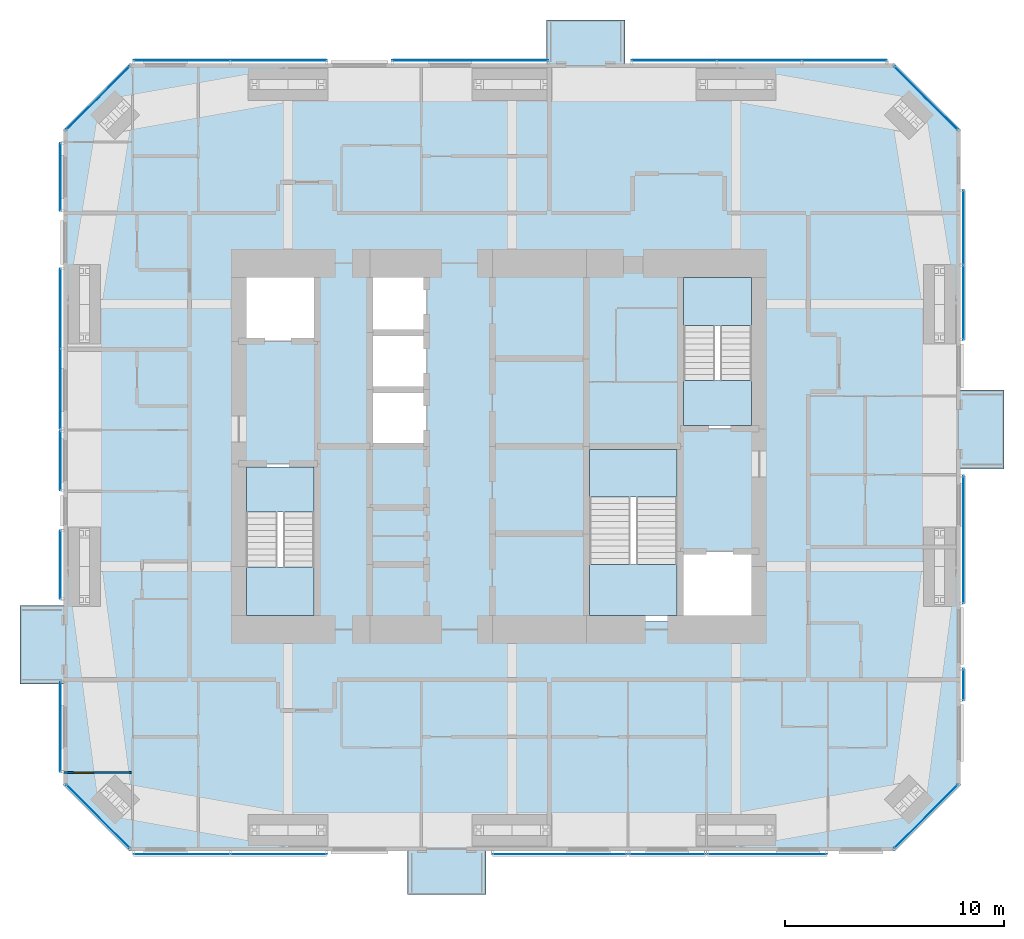
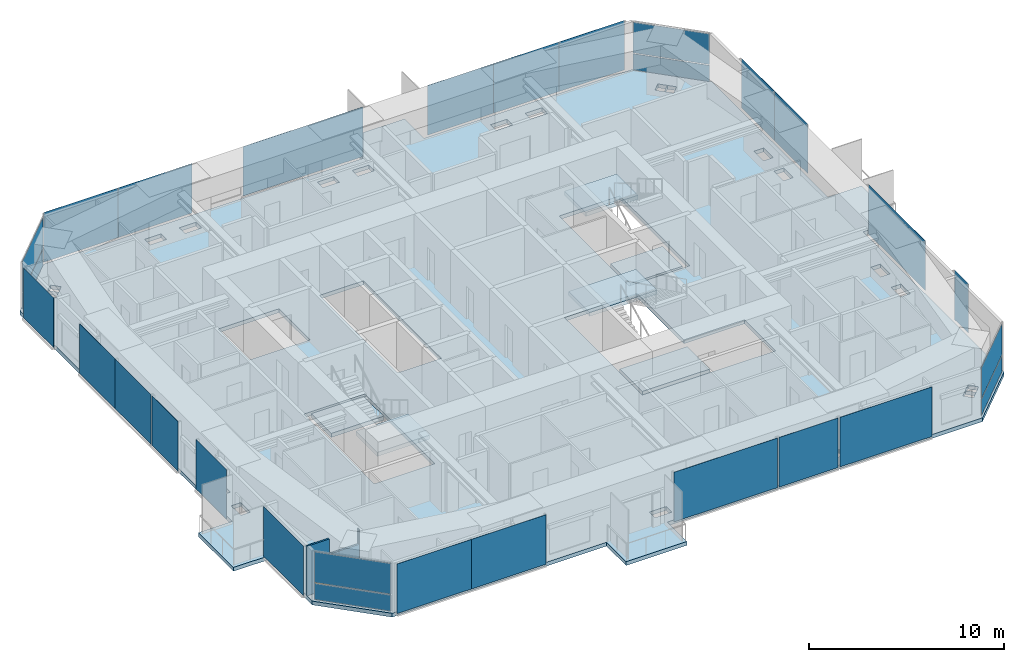
# One storey, part 14 of 22: 29 plates, 7 slabs, 1 door, 1 wall, 1 opening, 22 elements without a shape of their own.
"""IFC4 building model written with IfcOpenShell, lengths in metres."""

from ifc_helpers import new_model, si_unit, direction, frame, frame_2d, origin, origin_2d, place, context, subcontext, project, spatial, polyline, rectangle, outline, extrude, material, layer, layer_set, constituent, constituent_set, type_object, element, fill, aggregate, save


model = new_model("IFC4")

# Units and contexts
model_context = context("Model", 3, precision=1e-05, world=origin(), true_north=direction((0.0, 1.0)))
body_context = subcontext(model_context, "Body", "Model", "MODEL_VIEW")
ifc_project = project(units=[si_unit("LENGTHUNIT", "METRE"), si_unit("AREAUNIT", "SQUARE_METRE"), si_unit("VOLUMEUNIT", "CUBIC_METRE"), si_unit("PLANEANGLEUNIT", "RADIAN"), si_unit("MASSUNIT", "GRAM", prefix="KILO")], contexts=[model_context])

# Site, building, storey
site_placement = place(None, origin())
site = spatial("IfcSite", under=ifc_project, at=site_placement, CompositionType="ELEMENT")
building_placement = place(site_placement, origin())
building = spatial("IfcBuilding", under=site, at=building_placement, Name="Jalousie Tower", CompositionType="ELEMENT")
storey_placement = place(building_placement, frame((0.0, 0.0, 201.25)))
storey = spatial("IfcBuildingStorey", under=building, at=storey_placement, Name="L55", CompositionType="ELEMENT", Elevation=201.25)

# Curtain wall, plates
ifc_material_1 = material(Name="Aluminium curtain wall", Category="aluminium")
curtain_wall_type_1 = type_object("IfcCurtainWallType", Name="CORNER WINDOW WALL", PredefinedType="USERDEFINED", material=ifc_material_1)
curtain_wall_1_placement = place(storey_placement, origin())
curtain_wall_1 = element("IfcCurtainWall", 1, at=curtain_wall_1_placement, inside=storey, type_object=curtain_wall_type_1, Name="Corner Window Wall L55 2", ObjectType="CORNER WINDOW WALL", PredefinedType="USERDEFINED")
ifc_material_2 = material(Name="Laminated impact-rated spandrel glass", Category="glass")
ifc_layer_1 = layer(ifc_material_2, 0.028076171875)
ifc_layer_set_1 = layer_set([ifc_layer_1], Name="Laminated impact-rated spandrel glass")
plate_type_1 = type_object("IfcPlateType", Name="CORNER WINDOW WALL PANEL", PredefinedType="CURTAIN_PANEL", material=ifc_layer_set_1)
plate_1_placement = place(storey_placement, frame((51.4306640625, 1.5693359375, 0.06005859375), z_axis=(0.0, 0.0, 1.0), x_axis=(0.707106781187, 0.707106781187, 0.0)))
plate_1 = element("IfcPlate", 2, at=plate_1_placement, type_object=plate_type_1, Name="CW-C panel 1.1", PredefinedType="CURTAIN_PANEL", context=body_context, shape_type="SweptSolid", body=[
    extrude(rectangle(XDim=4.071533203125, YDim=0.028076171875, at=origin_2d()), origin(), (0.0, 0.0, 1.0), 1.010009765625),
])
plate_2_placement = place(storey_placement, frame((51.4306640625, 1.5693359375, 1.130126953125), z_axis=(0.0, 0.0, 1.0), x_axis=(0.707106781187, 0.707106781187, 0.0)))
plate_2 = element("IfcPlate", 3, at=plate_2_placement, type_object=plate_type_1, Name="CW-C panel 1.2", PredefinedType="CURTAIN_PANEL", context=body_context, shape_type="SweptSolid", body=[
    extrude(rectangle(XDim=4.071533203125, YDim=0.028076171875, at=origin_2d()), origin(), (0.0, 0.0, 1.0), 1.919921875),
])
aggregate(curtain_wall_1, [plate_1, plate_2])

curtain_wall_2_placement = place(storey_placement, origin())
curtain_wall_2 = element("IfcCurtainWall", 4, at=curtain_wall_2_placement, inside=storey, type_object=curtain_wall_type_1, Name="Corner Window Wall L55 4", ObjectType="CORNER WINDOW WALL", PredefinedType="USERDEFINED")
plate_3_placement = place(storey_placement, frame((51.4306640625, 34.4306640625, 0.06005859375), z_axis=(0.0, 0.0, 1.0), x_axis=(-0.707106781187, 0.707106781187, 0.0)))
plate_3 = element("IfcPlate", 5, at=plate_3_placement, type_object=plate_type_1, Name="CW-C panel 1.1", PredefinedType="CURTAIN_PANEL", context=body_context, shape_type="SweptSolid", body=[
    extrude(rectangle(XDim=4.071533203125, YDim=0.028076171875, at=origin_2d()), origin(), (0.0, 0.0, 1.0), 1.010009765625),
])
plate_4_placement = place(storey_placement, frame((51.4306640625, 34.4306640625, 1.130126953125), z_axis=(0.0, 0.0, 1.0), x_axis=(-0.707106781187, 0.707106781187, 0.0)))
plate_4 = element("IfcPlate", 6, at=plate_4_placement, type_object=plate_type_1, Name="CW-C panel 1.2", PredefinedType="CURTAIN_PANEL", context=body_context, shape_type="SweptSolid", body=[
    extrude(rectangle(XDim=4.071533203125, YDim=0.028076171875, at=origin_2d()), origin(), (0.0, 0.0, 1.0), 1.919921875),
])
aggregate(curtain_wall_2, [plate_3, plate_4])

curtain_wall_3_placement = place(storey_placement, origin())
curtain_wall_3 = element("IfcCurtainWall", 7, at=curtain_wall_3_placement, inside=storey, type_object=curtain_wall_type_1, Name="Corner Window Wall L55 6", ObjectType="CORNER WINDOW WALL", PredefinedType="USERDEFINED")
plate_5_placement = place(storey_placement, frame((13.5693359375, 34.4306640625, 0.06005859375), z_axis=(0.0, 0.0, 1.0), x_axis=(-0.707106781187, -0.707106781187, 0.0)))
plate_5 = element("IfcPlate", 8, at=plate_5_placement, type_object=plate_type_1, Name="CW-C panel 1.1", PredefinedType="CURTAIN_PANEL", context=body_context, shape_type="SweptSolid", body=[
    extrude(rectangle(XDim=4.071533203125, YDim=0.028076171875, at=origin_2d()), origin(), (0.0, 0.0, 1.0), 1.010009765625),
])
plate_6_placement = place(storey_placement, frame((13.5693359375, 34.4306640625, 1.130126953125), z_axis=(0.0, 0.0, 1.0), x_axis=(-0.707106781187, -0.707106781187, 0.0)))
plate_6 = element("IfcPlate", 9, at=plate_6_placement, type_object=plate_type_1, Name="CW-C panel 1.2", PredefinedType="CURTAIN_PANEL", context=body_context, shape_type="SweptSolid", body=[
    extrude(rectangle(XDim=4.071533203125, YDim=0.028076171875, at=origin_2d()), origin(), (0.0, 0.0, 1.0), 1.919921875),
])
aggregate(curtain_wall_3, [plate_5, plate_6])

curtain_wall_4_placement = place(storey_placement, origin())
curtain_wall_4 = element("IfcCurtainWall", 10, at=curtain_wall_4_placement, inside=storey, type_object=curtain_wall_type_1, Name="Corner Window Wall L55 8", ObjectType="CORNER WINDOW WALL", PredefinedType="USERDEFINED")
plate_7_placement = place(storey_placement, frame((13.5693359375, 1.5693359375, 0.06005859375), z_axis=(0.0, 0.0, 1.0), x_axis=(0.707106781187, -0.707106781187, 0.0)))
plate_7 = element("IfcPlate", 11, at=plate_7_placement, type_object=plate_type_1, Name="CW-C panel 1.1", PredefinedType="CURTAIN_PANEL", context=body_context, shape_type="SweptSolid", body=[
    extrude(rectangle(XDim=4.071533203125, YDim=0.028076171875, at=origin_2d()), origin(), (0.0, 0.0, 1.0), 1.010009765625),
])
plate_8_placement = place(storey_placement, frame((13.5693359375, 1.5693359375, 1.130126953125), z_axis=(0.0, 0.0, 1.0), x_axis=(0.707106781187, -0.707106781187, 0.0)))
plate_8 = element("IfcPlate", 12, at=plate_8_placement, type_object=plate_type_1, Name="CW-C panel 1.2", PredefinedType="CURTAIN_PANEL", context=body_context, shape_type="SweptSolid", body=[
    extrude(rectangle(XDim=4.071533203125, YDim=0.028076171875, at=origin_2d()), origin(), (0.0, 0.0, 1.0), 1.919921875),
])
aggregate(curtain_wall_4, [plate_7, plate_8])

# Slab
ifc_material_3 = material(Name="Concrete f'c 40 MPa", Category="concrete")
ifc_layer_2 = layer(ifc_material_3, 0.239990234375)
ifc_layer_set_2 = layer_set([ifc_layer_2], Name="Concrete f'c 40 MPa")
slab_type_1 = type_object("IfcSlabType", Name="FLOOR SLAB 240", PredefinedType="FLOOR", material=ifc_layer_set_2)
slab_1_placement = place(storey_placement, frame((0.0, 0.0, -0.239990234375)))
element("IfcSlab", 13, at=slab_1_placement, inside=storey, type_object=slab_type_1, Name="L55 floor slab", PredefinedType="FLOOR", context=body_context, shape_type="SweptSolid", body=[
    extrude(outline(polyline([(34.074951171875, 36.0), (34.074951171875, 38.0), (37.675048828125, 38.0), (37.675048828125, 36.0), (50.0, 36.0), (53.0, 33.0), (53.0, 21.074951171875), (55.0, 21.074951171875), (55.0, 17.47509765625), (53.0, 17.47509765625), (53.0, 3.0), (50.0, 0.0), (31.3125, 0.0), (31.3125, -2.0), (27.71240234375, -2.0), (27.71240234375, 0.0), (15.0, 0.0), (12.0, 3.0), (12.0, 7.625), (10.0, 7.625), (10.0, 11.22509765625), (12.0, 11.22509765625), (12.0, 33.0), (15.0, 36.0), (34.074951171875, 36.0)]), holes=[polyline([(52.336181640625, 25.54150390625), (52.336181640625, 26.52490234375), (51.763916015625, 26.52490234375), (51.763916015625, 25.54150390625), (52.336181640625, 25.54150390625)]), polyline([(51.763916015625, 23.47509765625), (52.336181640625, 23.47509765625), (52.336181640625, 24.45849609375), (51.763916015625, 24.45849609375), (51.763916015625, 23.47509765625)]), polyline([(51.763916015625, 13.54150390625), (52.336181640625, 13.54150390625), (52.336181640625, 14.52490234375), (51.763916015625, 14.52490234375), (51.763916015625, 13.54150390625)]), polyline([(51.763916015625, 11.47509765625), (52.336181640625, 11.47509765625), (52.336181640625, 12.45849609375), (51.763916015625, 12.45849609375), (51.763916015625, 11.47509765625)]), polyline([(50.856689453125, 33.851318359375), (50.451904296875, 33.446533203125), (50.802490234375, 33.095703125), (51.20751953125, 33.500244140625), (50.856689453125, 33.851318359375)]), polyline([(50.802490234375, 2.904296875), (50.451904296875, 2.553466796875), (50.856689453125, 2.148681640625), (51.20751953125, 2.499755859375), (50.802490234375, 2.904296875)]), polyline([(50.446533203125, 33.451904296875), (50.851318359375, 33.856689453125), (50.500244140625, 34.20751953125), (50.095703125, 33.802490234375), (50.446533203125, 33.451904296875)]), polyline([(50.095703125, 2.197509765625), (50.500244140625, 1.79248046875), (50.851318359375, 2.143310546875), (50.446533203125, 2.548095703125), (50.095703125, 2.197509765625)]), polyline([(44.27490234375, 35.336181640625), (43.29150390625, 35.336181640625), (43.29150390625, 34.763916015625), (44.27490234375, 34.763916015625), (44.27490234375, 35.336181640625)]), polyline([(44.27490234375, 1.236083984375), (43.29150390625, 1.236083984375), (43.29150390625, 0.663818359375), (44.27490234375, 0.663818359375), (44.27490234375, 1.236083984375)]), polyline([(40.199951171875, 19.300048828125), (43.800048828125, 19.300048828125), (43.800048828125, 26.5), (40.199951171875, 26.5), (40.199951171875, 19.300048828125)]), polyline([(35.89990234375, 18.5), (35.89990234375, 10.5), (43.800048828125, 10.5), (43.800048828125, 13.699951171875), (40.199951171875, 13.699951171875), (40.199951171875, 18.5), (35.89990234375, 18.5)]), polyline([(42.20849609375, 34.763916015625), (42.20849609375, 35.336181640625), (41.22509765625, 35.336181640625), (41.22509765625, 34.763916015625), (42.20849609375, 34.763916015625)]), polyline([(41.22509765625, 0.663818359375), (42.20849609375, 0.663818359375), (42.20849609375, 1.236083984375), (41.22509765625, 1.236083984375), (41.22509765625, 0.663818359375)]), polyline([(33.04150390625, 35.336181640625), (33.04150390625, 34.763916015625), (34.02490234375, 34.763916015625), (34.02490234375, 35.336181640625), (33.04150390625, 35.336181640625)]), polyline([(33.04150390625, 1.236083984375), (33.04150390625, 0.663818359375), (34.02490234375, 0.663818359375), (34.02490234375, 1.236083984375), (33.04150390625, 1.236083984375)]), polyline([(31.95849609375, 34.763916015625), (31.95849609375, 35.336181640625), (30.97509765625, 35.336181640625), (30.97509765625, 34.763916015625), (31.95849609375, 34.763916015625)]), polyline([(31.95849609375, 0.663818359375), (31.95849609375, 1.236083984375), (30.97509765625, 1.236083984375), (30.97509765625, 0.663818359375), (31.95849609375, 0.663818359375)]), polyline([(28.60009765625, 18.5), (28.60009765625, 26.5), (26.0, 26.5), (26.0, 18.5), (28.60009765625, 18.5)]), polyline([(22.79150390625, 1.236083984375), (22.79150390625, 0.663818359375), (23.77490234375, 0.663818359375), (23.77490234375, 1.236083984375), (22.79150390625, 1.236083984375)]), polyline([(23.77490234375, 34.763916015625), (23.77490234375, 35.336181640625), (22.79150390625, 35.336181640625), (22.79150390625, 34.763916015625), (23.77490234375, 34.763916015625)]), polyline([(20.0, 23.300048828125), (23.60009765625, 23.300048828125), (23.60009765625, 26.5), (20.0, 26.5), (20.0, 23.300048828125)]), polyline([(20.0, 10.5), (23.60009765625, 10.5), (23.60009765625, 17.699951171875), (20.0, 17.699951171875), (20.0, 10.5)]), polyline([(20.72509765625, 35.336181640625), (20.72509765625, 34.763916015625), (21.70849609375, 34.763916015625), (21.70849609375, 35.336181640625), (20.72509765625, 35.336181640625)]), polyline([(20.72509765625, 1.236083984375), (20.72509765625, 0.663818359375), (21.70849609375, 0.663818359375), (21.70849609375, 1.236083984375), (20.72509765625, 1.236083984375)]), polyline([(14.904296875, 33.802490234375), (14.499755859375, 34.20751953125), (14.148681640625, 33.856689453125), (14.553466796875, 33.451904296875), (14.904296875, 33.802490234375)]), polyline([(14.148681640625, 2.143310546875), (14.499755859375, 1.79248046875), (14.904296875, 2.197509765625), (14.553466796875, 2.548095703125), (14.148681640625, 2.143310546875)]), polyline([(14.197509765625, 2.904296875), (13.79248046875, 2.499755859375), (14.143310546875, 2.148681640625), (14.548095703125, 2.553466796875), (14.197509765625, 2.904296875)]), polyline([(13.79248046875, 33.500244140625), (14.197509765625, 33.095703125), (14.548095703125, 33.446533203125), (14.143310546875, 33.851318359375), (13.79248046875, 33.500244140625)]), polyline([(12.663818359375, 11.47509765625), (13.236083984375, 11.47509765625), (13.236083984375, 12.45849609375), (12.663818359375, 12.45849609375), (12.663818359375, 11.47509765625)]), polyline([(13.236083984375, 24.45849609375), (12.663818359375, 24.45849609375), (12.663818359375, 23.47509765625), (13.236083984375, 23.47509765625), (13.236083984375, 24.45849609375)]), polyline([(12.663818359375, 25.54150390625), (13.236083984375, 25.54150390625), (13.236083984375, 26.52490234375), (12.663818359375, 26.52490234375), (12.663818359375, 25.54150390625)]), polyline([(13.236083984375, 13.54150390625), (13.236083984375, 14.52490234375), (12.663818359375, 14.52490234375), (12.663818359375, 13.54150390625), (13.236083984375, 13.54150390625)])]), origin(), (0.0, 0.0, 1.0), 0.239990234375),
])

# Curtain wall, plates
ifc_material_4 = material(Name="Perforated aluminium sheet", Category="aluminium")
curtain_wall_type_2 = type_object("IfcCurtainWallType", Name="SOLAR SCREEN SS-1", PredefinedType="USERDEFINED", material=ifc_material_4)
curtain_wall_5_placement = place(storey_placement, origin())
curtain_wall_5 = element("IfcCurtainWall", 14, at=curtain_wall_5_placement, inside=storey, type_object=curtain_wall_type_2, Name="Solar screen L55", ObjectType="SOLAR SCREEN SS-1", PredefinedType="USERDEFINED")
ifc_material_5 = material(Name="Perforated aluminium sheet", Category="aluminium")
ifc_layer_3 = layer(ifc_material_5, 0.006103515625)
ifc_layer_set_3 = layer_set([ifc_layer_3], Name="Perforated aluminium sheet")
plate_type_2 = type_object("IfcPlateType", Name="SOLAR SCREEN SS-1 PANEL", PredefinedType="CURTAIN_PANEL", material=ifc_layer_set_3)
plate_9_placement = place(storey_placement, frame((17.40625, -0.150390625, 0.0), z_axis=(0.0, 0.0, 1.0), x_axis=(1.0, 0.0, 0.0)))
plate_9 = element("IfcPlate", 15, at=plate_9_placement, type_object=plate_type_2, Name="SS1 perforated panel 1", PredefinedType="CURTAIN_PANEL", context=body_context, shape_type="SweptSolid", body=[
    extrude(rectangle(XDim=4.41259765625, YDim=0.006103515625, at=origin_2d()), origin(), (0.0, 0.0, 1.0), 3.110107421875),
])
plate_10_placement = place(storey_placement, frame((21.818603515625, -0.150390625, 0.0), z_axis=(0.0, 0.0, 1.0), x_axis=(1.0, 0.0, 0.0)))
plate_10 = element("IfcPlate", 16, at=plate_10_placement, type_object=plate_type_2, Name="SS1 perforated panel 2", PredefinedType="CURTAIN_PANEL", context=body_context, shape_type="SweptSolid", body=[
    extrude(rectangle(XDim=4.41259765625, YDim=0.006103515625, at=origin_2d()), origin(), (0.0, 0.0, 1.0), 3.110107421875),
])
aggregate(curtain_wall_5, [plate_9, plate_10])

# Curtain wall, plate
curtain_wall_6_placement = place(storey_placement, origin())
curtain_wall_6 = element("IfcCurtainWall", 17, at=curtain_wall_6_placement, inside=storey, type_object=curtain_wall_type_2, Name="Solar screen L55", ObjectType="SOLAR SCREEN SS-1", PredefinedType="USERDEFINED")
plate_11_placement = place(storey_placement, frame((34.68115234375, -0.150390625, 0.0), z_axis=(0.0, 0.0, 1.0), x_axis=(1.0, 0.0, 0.0)))
plate_11 = element("IfcPlate", 18, at=plate_11_placement, type_object=plate_type_2, Name="SS1 perforated panel 1", PredefinedType="CURTAIN_PANEL", context=body_context, shape_type="SweptSolid", body=[
    extrude(rectangle(XDim=6.137451171875, YDim=0.006103515625, at=origin_2d()), origin(), (0.0, 0.0, 1.0), 3.110107421875),
])
aggregate(curtain_wall_6, [plate_11])

curtain_wall_7_placement = place(storey_placement, origin())
curtain_wall_7 = element("IfcCurtainWall", 19, at=curtain_wall_7_placement, inside=storey, type_object=curtain_wall_type_2, Name="Solar screen L55", ObjectType="SOLAR SCREEN SS-1", PredefinedType="USERDEFINED")
plate_12_placement = place(storey_placement, frame((39.60009765625, -0.150390625, 0.0), z_axis=(0.0, 0.0, 1.0), x_axis=(1.0, 0.0, 0.0)))
plate_12 = element("IfcPlate", 20, at=plate_12_placement, type_object=plate_type_2, Name="SS1 perforated panel 1", PredefinedType="CURTAIN_PANEL", context=body_context, shape_type="SweptSolid", body=[
    extrude(rectangle(XDim=3.5, YDim=0.006103515625, at=origin_2d()), origin(), (0.0, 0.0, 1.0), 3.110107421875),
])
aggregate(curtain_wall_7, [plate_12])

curtain_wall_8_placement = place(storey_placement, origin())
curtain_wall_8 = element("IfcCurtainWall", 21, at=curtain_wall_8_placement, inside=storey, type_object=curtain_wall_type_2, Name="Solar screen L55", ObjectType="SOLAR SCREEN SS-1", PredefinedType="USERDEFINED")
plate_13_placement = place(storey_placement, frame((44.175048828125, -0.150390625, 0.0), z_axis=(0.0, 0.0, 1.0), x_axis=(1.0, 0.0, 0.0)))
plate_13 = element("IfcPlate", 22, at=plate_13_placement, type_object=plate_type_2, Name="SS1 perforated panel 1", PredefinedType="CURTAIN_PANEL", context=body_context, shape_type="SweptSolid", body=[
    extrude(rectangle(XDim=5.449951171875, YDim=0.006103515625, at=origin_2d()), origin(), (0.0, 0.0, 1.0), 3.110107421875),
])
aggregate(curtain_wall_8, [plate_13])

curtain_wall_9_placement = place(storey_placement, origin())
curtain_wall_9 = element("IfcCurtainWall", 23, at=curtain_wall_9_placement, inside=storey, type_object=curtain_wall_type_2, Name="Solar screen L55", ObjectType="SOLAR SCREEN SS-1", PredefinedType="USERDEFINED")
plate_14_placement = place(storey_placement, frame((53.150390625, 7.60498046875, 0.0), z_axis=(0.0, 0.0, 1.0), x_axis=(0.0, 1.0, 0.0)))
plate_14 = element("IfcPlate", 24, at=plate_14_placement, type_object=plate_type_2, Name="SS1 perforated panel 1", PredefinedType="CURTAIN_PANEL", context=body_context, shape_type="SweptSolid", body=[
    extrude(rectangle(XDim=1.43359375, YDim=0.006103515625, at=origin_2d()), origin(), (0.0, 0.0, 1.0), 3.110107421875),
])
aggregate(curtain_wall_9, [plate_14])

curtain_wall_10_placement = place(storey_placement, origin())
curtain_wall_10 = element("IfcCurtainWall", 25, at=curtain_wall_10_placement, inside=storey, type_object=curtain_wall_type_2, Name="Solar screen L55", ObjectType="SOLAR SCREEN SS-1", PredefinedType="USERDEFINED")
plate_15_placement = place(storey_placement, frame((53.150390625, 14.23583984375, 0.0), z_axis=(0.0, 0.0, 1.0), x_axis=(0.0, 1.0, 0.0)))
plate_15 = element("IfcPlate", 26, at=plate_15_placement, type_object=plate_type_2, Name="SS1 perforated panel 1", PredefinedType="CURTAIN_PANEL", context=body_context, shape_type="SweptSolid", body=[
    extrude(rectangle(XDim=5.828125, YDim=0.006103515625, at=origin_2d()), origin(), (0.0, 0.0, 1.0), 3.110107421875),
])
aggregate(curtain_wall_10, [plate_15])

# Curtain wall, plates
curtain_wall_11_placement = place(storey_placement, origin())
curtain_wall_11 = element("IfcCurtainWall", 27, at=curtain_wall_11_placement, inside=storey, type_object=curtain_wall_type_2, Name="Solar screen L55", ObjectType="SOLAR SCREEN SS-1", PredefinedType="USERDEFINED")
plate_16_placement = place(storey_placement, frame((53.150390625, 25.084228515625, 0.0), z_axis=(0.0, 0.0, 1.0), x_axis=(0.0, 1.0, 0.0)))
plate_16 = element("IfcPlate", 28, at=plate_16_placement, type_object=plate_type_2, Name="SS1 perforated panel 1", PredefinedType="CURTAIN_PANEL", context=body_context, shape_type="SweptSolid", body=[
    extrude(rectangle(XDim=3.41845703125, YDim=0.006103515625, at=origin_2d()), origin(), (0.0, 0.0, 1.0), 3.110107421875),
])
plate_17_placement = place(storey_placement, frame((53.150390625, 28.502685546875, 0.0), z_axis=(0.0, 0.0, 1.0), x_axis=(0.0, 1.0, 0.0)))
plate_17 = element("IfcPlate", 29, at=plate_17_placement, type_object=plate_type_2, Name="SS1 perforated panel 2", PredefinedType="CURTAIN_PANEL", context=body_context, shape_type="SweptSolid", body=[
    extrude(rectangle(XDim=3.41845703125, YDim=0.006103515625, at=origin_2d()), origin(), (0.0, 0.0, 1.0), 3.110107421875),
])
aggregate(curtain_wall_11, [plate_16, plate_17])

curtain_wall_12_placement = place(storey_placement, origin())
curtain_wall_12 = element("IfcCurtainWall", 30, at=curtain_wall_12_placement, inside=storey, type_object=curtain_wall_type_2, Name="Solar screen L55", ObjectType="SOLAR SCREEN SS-1", PredefinedType="USERDEFINED")
plate_18_placement = place(storey_placement, frame((47.703125, 36.150390625, 0.0), z_axis=(0.0, 0.0, 1.0), x_axis=(-1.0, 0.0, 0.0)))
plate_18 = element("IfcPlate", 31, at=plate_18_placement, type_object=plate_type_2, Name="SS1 perforated panel 1", PredefinedType="CURTAIN_PANEL", context=body_context, shape_type="SweptSolid", body=[
    extrude(rectangle(XDim=3.89111328125, YDim=0.006103515625, at=origin_2d()), origin(), (0.0, 0.0, 1.0), 3.110107421875),
])
plate_19_placement = place(storey_placement, frame((43.811767578125, 36.150390625, 0.0), z_axis=(0.0, 0.0, 1.0), x_axis=(-1.0, 0.0, 0.0)))
plate_19 = element("IfcPlate", 32, at=plate_19_placement, type_object=plate_type_2, Name="SS1 perforated panel 2", PredefinedType="CURTAIN_PANEL", context=body_context, shape_type="SweptSolid", body=[
    extrude(rectangle(XDim=3.89111328125, YDim=0.006103515625, at=origin_2d()), origin(), (0.0, 0.0, 1.0), 3.110107421875),
])
plate_20_placement = place(storey_placement, frame((39.920654296875, 36.150390625, 0.0), z_axis=(0.0, 0.0, 1.0), x_axis=(-1.0, 0.0, 0.0)))
plate_20 = element("IfcPlate", 33, at=plate_20_placement, type_object=plate_type_2, Name="SS1 perforated panel 3", PredefinedType="CURTAIN_PANEL", context=body_context, shape_type="SweptSolid", body=[
    extrude(rectangle(XDim=3.89111328125, YDim=0.006103515625, at=origin_2d()), origin(), (0.0, 0.0, 1.0), 3.110107421875),
])
aggregate(curtain_wall_12, [plate_18, plate_19, plate_20])

# Curtain wall, plate
curtain_wall_13_placement = place(storey_placement, origin())
curtain_wall_13 = element("IfcCurtainWall", 34, at=curtain_wall_13_placement, inside=storey, type_object=curtain_wall_type_2, Name="Solar screen L55", ObjectType="SOLAR SCREEN SS-1", PredefinedType="USERDEFINED")
plate_21_placement = place(storey_placement, frame((30.58740234375, 36.150390625, 0.0), z_axis=(0.0, 0.0, 1.0), x_axis=(-1.0, 0.0, 0.0)))
plate_21 = element("IfcPlate", 35, at=plate_21_placement, type_object=plate_type_2, Name="SS1 perforated panel 1", PredefinedType="CURTAIN_PANEL", context=body_context, shape_type="SweptSolid", body=[
    extrude(rectangle(XDim=7.125, YDim=0.006103515625, at=origin_2d()), origin(), (0.0, 0.0, 1.0), 3.110107421875),
])
aggregate(curtain_wall_13, [plate_21])

# Curtain wall, plates
curtain_wall_14_placement = place(storey_placement, origin())
curtain_wall_14 = element("IfcCurtainWall", 36, at=curtain_wall_14_placement, inside=storey, type_object=curtain_wall_type_2, Name="Solar screen L55", ObjectType="SOLAR SCREEN SS-1", PredefinedType="USERDEFINED")
plate_22_placement = place(storey_placement, frame((21.818603515625, 36.150390625, 0.0), z_axis=(0.0, 0.0, 1.0), x_axis=(-1.0, 0.0, 0.0)))
plate_22 = element("IfcPlate", 37, at=plate_22_placement, type_object=plate_type_2, Name="SS1 perforated panel 1", PredefinedType="CURTAIN_PANEL", context=body_context, shape_type="SweptSolid", body=[
    extrude(rectangle(XDim=4.41259765625, YDim=0.006103515625, at=origin_2d()), origin(), (0.0, 0.0, 1.0), 3.110107421875),
])
plate_23_placement = place(storey_placement, frame((17.40625, 36.150390625, 0.0), z_axis=(0.0, 0.0, 1.0), x_axis=(-1.0, 0.0, 0.0)))
plate_23 = element("IfcPlate", 38, at=plate_23_placement, type_object=plate_type_2, Name="SS1 perforated panel 2", PredefinedType="CURTAIN_PANEL", context=body_context, shape_type="SweptSolid", body=[
    extrude(rectangle(XDim=4.41259765625, YDim=0.006103515625, at=origin_2d()), origin(), (0.0, 0.0, 1.0), 3.110107421875),
])
aggregate(curtain_wall_14, [plate_22, plate_23])

# Curtain wall, plate
curtain_wall_15_placement = place(storey_placement, origin())
curtain_wall_15 = element("IfcCurtainWall", 39, at=curtain_wall_15_placement, inside=storey, type_object=curtain_wall_type_2, Name="Solar screen L55", ObjectType="SOLAR SCREEN SS-1", PredefinedType="USERDEFINED")
plate_24_placement = place(storey_placement, frame((11.849609375, 30.822509765625, 0.0), z_axis=(0.0, 0.0, 1.0), x_axis=(0.0, -1.0, 0.0)))
plate_24 = element("IfcPlate", 40, at=plate_24_placement, type_object=plate_type_2, Name="SS1 perforated panel 1", PredefinedType="CURTAIN_PANEL", context=body_context, shape_type="SweptSolid", body=[
    extrude(rectangle(XDim=3.09521484375, YDim=0.006103515625, at=origin_2d()), origin(), (0.0, 0.0, 1.0), 3.110107421875),
])
aggregate(curtain_wall_15, [plate_24])

# Curtain wall, plates
curtain_wall_16_placement = place(storey_placement, origin())
curtain_wall_16 = element("IfcCurtainWall", 41, at=curtain_wall_16_placement, inside=storey, type_object=curtain_wall_type_2, Name="Solar screen L55", ObjectType="SOLAR SCREEN SS-1", PredefinedType="USERDEFINED")
plate_25_placement = place(storey_placement, frame((11.849609375, 24.793701171875, 0.0), z_axis=(0.0, 0.0, 1.0), x_axis=(0.0, -1.0, 0.0)))
plate_25 = element("IfcPlate", 42, at=plate_25_placement, type_object=plate_type_2, Name="SS1 perforated panel 1", PredefinedType="CURTAIN_PANEL", context=body_context, shape_type="SweptSolid", body=[
    extrude(rectangle(XDim=3.66259765625, YDim=0.006103515625, at=origin_2d()), origin(), (0.0, 0.0, 1.0), 3.110107421875),
])
plate_26_placement = place(storey_placement, frame((11.849609375, 21.13134765625, 0.0), z_axis=(0.0, 0.0, 1.0), x_axis=(0.0, -1.0, 0.0)))
plate_26 = element("IfcPlate", 43, at=plate_26_placement, type_object=plate_type_2, Name="SS1 perforated panel 2", PredefinedType="CURTAIN_PANEL", context=body_context, shape_type="SweptSolid", body=[
    extrude(rectangle(XDim=3.66259765625, YDim=0.006103515625, at=origin_2d()), origin(), (0.0, 0.0, 1.0), 3.110107421875),
])
aggregate(curtain_wall_16, [plate_25, plate_26])

# Curtain wall, plate
curtain_wall_17_placement = place(storey_placement, origin())
curtain_wall_17 = element("IfcCurtainWall", 44, at=curtain_wall_17_placement, inside=storey, type_object=curtain_wall_type_2, Name="Solar screen L55", ObjectType="SOLAR SCREEN SS-1", PredefinedType="USERDEFINED")
plate_27_placement = place(storey_placement, frame((11.849609375, 17.85009765625, 0.0), z_axis=(0.0, 0.0, 1.0), x_axis=(0.0, -1.0, 0.0)))
plate_27 = element("IfcPlate", 45, at=plate_27_placement, type_object=plate_type_2, Name="SS1 perforated panel 1", PredefinedType="CURTAIN_PANEL", context=body_context, shape_type="SweptSolid", body=[
    extrude(rectangle(XDim=2.699951171875, YDim=0.006103515625, at=origin_2d()), origin(), (0.0, 0.0, 1.0), 3.110107421875),
])
aggregate(curtain_wall_17, [plate_27])

curtain_wall_18_placement = place(storey_placement, origin())
curtain_wall_18 = element("IfcCurtainWall", 46, at=curtain_wall_18_placement, inside=storey, type_object=curtain_wall_type_2, Name="Solar screen L55", ObjectType="SOLAR SCREEN SS-1", PredefinedType="USERDEFINED")
plate_28_placement = place(storey_placement, frame((11.849609375, 13.08740234375, 0.0), z_axis=(0.0, 0.0, 1.0), x_axis=(0.0, -1.0, 0.0)))
plate_28 = element("IfcPlate", 47, at=plate_28_placement, type_object=plate_type_2, Name="SS1 perforated panel 1", PredefinedType="CURTAIN_PANEL", context=body_context, shape_type="SweptSolid", body=[
    extrude(rectangle(XDim=3.12451171875, YDim=0.006103515625, at=origin_2d()), origin(), (0.0, 0.0, 1.0), 3.110107421875),
])
aggregate(curtain_wall_18, [plate_28])

curtain_wall_19_placement = place(storey_placement, origin())
curtain_wall_19 = element("IfcCurtainWall", 48, at=curtain_wall_19_placement, inside=storey, type_object=curtain_wall_type_2, Name="Solar screen L55", ObjectType="SOLAR SCREEN SS-1", PredefinedType="USERDEFINED")
plate_29_placement = place(storey_placement, frame((11.849609375, 5.677490234375, 0.0), z_axis=(0.0, 0.0, 1.0), x_axis=(0.0, -1.0, 0.0)))
plate_29 = element("IfcPlate", 49, at=plate_29_placement, type_object=plate_type_2, Name="SS1 perforated panel 1", PredefinedType="CURTAIN_PANEL", context=body_context, shape_type="SweptSolid", body=[
    extrude(rectangle(XDim=4.09521484375, YDim=0.006103515625, at=origin_2d()), origin(), (0.0, 0.0, 1.0), 3.110107421875),
])
aggregate(curtain_wall_19, [plate_29])

# Stair, slabs
ifc_material_6 = material(Name="Concrete f'c 40 MPa", Category="concrete")
stair_type = type_object("IfcStairType", Name="EXIT STAIR", PredefinedType="HALF_TURN_STAIR", material=ifc_material_6)
stair_1_placement = place(storey_placement, origin())
stair_1 = element("IfcStair", 50, at=stair_1_placement, inside=storey, type_object=stair_type, Name="Exit stair A L55", PredefinedType="HALF_TURN_STAIR")
ifc_material_7 = material(Name="Concrete f'c 40 MPa", Category="concrete")
ifc_layer_4 = layer(ifc_material_7, 0.25)
ifc_layer_set_4 = layer_set([ifc_layer_4], Name="Concrete f'c 40 MPa")
slab_type_2 = type_object("IfcSlabType", Name="STAIR LANDING 250", PredefinedType="LANDING", material=ifc_layer_set_4)
slab_2_placement = place(storey_placement, frame((0.0, 0.0, -0.25)))
slab_2 = element("IfcSlab", 51, at=slab_2_placement, type_object=slab_type_2, Name="ST-A landing 1", PredefinedType="LANDING", context=body_context, shape_type="SweptSolid", body=[
    extrude(outline(polyline([(20.35009765625, 15.49755859375), (23.449951171875, 15.49755859375), (23.449951171875, 17.550048828125), (20.35009765625, 17.550048828125), (20.35009765625, 15.49755859375)])), origin(), (0.0, 0.0, 1.0), 0.25),
])
slab_3_placement = place(storey_placement, frame((0.0, 0.0, 1.425048828125)))
slab_3 = element("IfcSlab", 52, at=slab_3_placement, type_object=slab_type_2, Name="ST-A landing 2", PredefinedType="LANDING", context=body_context, shape_type="SweptSolid", body=[
    extrude(outline(polyline([(20.35009765625, 10.77490234375), (23.449951171875, 10.77490234375), (23.449951171875, 12.9775390625), (20.35009765625, 12.9775390625), (20.35009765625, 10.77490234375)])), origin(), (0.0, 0.0, 1.0), 0.25),
])
aggregate(stair_1, [slab_2, slab_3])

stair_2_placement = place(storey_placement, origin())
stair_2 = element("IfcStair", 53, at=stair_2_placement, inside=storey, type_object=stair_type, Name="Exit stair B L55", PredefinedType="HALF_TURN_STAIR")
slab_4_placement = place(storey_placement, frame((0.0, 0.0, -0.25)))
slab_4 = element("IfcSlab", 54, at=slab_4_placement, type_object=slab_type_2, Name="ST-B landing 1", PredefinedType="LANDING", context=body_context, shape_type="SweptSolid", body=[
    extrude(outline(polyline([(40.35009765625, 19.449951171875), (43.449951171875, 19.449951171875), (43.449951171875, 21.50244140625), (40.35009765625, 21.50244140625), (40.35009765625, 19.449951171875)])), origin(), (0.0, 0.0, 1.0), 0.25),
])
slab_5_placement = place(storey_placement, frame((0.0, 0.0, 1.425048828125)))
slab_5 = element("IfcSlab", 55, at=slab_5_placement, type_object=slab_type_2, Name="ST-B landing 2", PredefinedType="LANDING", context=body_context, shape_type="SweptSolid", body=[
    extrude(outline(polyline([(40.35009765625, 24.0224609375), (43.449951171875, 24.0224609375), (43.449951171875, 26.22509765625), (40.35009765625, 26.22509765625), (40.35009765625, 24.0224609375)])), origin(), (0.0, 0.0, 1.0), 0.25),
])
aggregate(stair_2, [slab_4, slab_5])

stair_3_placement = place(storey_placement, origin())
stair_3 = element("IfcStair", 56, at=stair_3_placement, inside=storey, type_object=stair_type, Name="Exit stair C L55", PredefinedType="HALF_TURN_STAIR")
slab_6_placement = place(storey_placement, frame((0.0, 0.0, -0.25)))
slab_6 = element("IfcSlab", 57, at=slab_6_placement, type_object=slab_type_2, Name="ST-C landing 1", PredefinedType="LANDING", context=body_context, shape_type="SweptSolid", body=[
    extrude(outline(polyline([(36.050048828125, 10.77490234375), (40.050048828125, 10.77490234375), (40.050048828125, 13.097412109375), (36.050048828125, 13.097412109375), (36.050048828125, 10.77490234375)])), origin(), (0.0, 0.0, 1.0), 0.25),
])
slab_7_placement = place(storey_placement, frame((0.0, 0.0, 1.425048828125)))
slab_7 = element("IfcSlab", 58, at=slab_7_placement, type_object=slab_type_2, Name="ST-C landing 2", PredefinedType="LANDING", context=body_context, shape_type="SweptSolid", body=[
    extrude(outline(polyline([(36.050048828125, 16.177490234375), (40.050048828125, 16.177490234375), (40.050048828125, 18.35009765625), (36.050048828125, 18.35009765625), (36.050048828125, 16.177490234375)])), origin(), (0.0, 0.0, 1.0), 0.25),
])
aggregate(stair_3, [slab_6, slab_7])

# Wall, opening, door
ifc_material_8 = material(Name="Gypsum board", Category="gypsum")
ifc_constituent_1 = constituent(ifc_material_8, Name="Body")
ifc_material_9 = material(Name="Light-gauge steel studs ASTM A653 SS Grade 33", Category="steel")
ifc_constituent_2 = constituent(ifc_material_9, Name="Framing")
ifc_constituent_set = constituent_set(constituents=[ifc_constituent_1, ifc_constituent_2])
wall_type = type_object("IfcWallType", Name="PARTITION 100", PredefinedType="PARTITIONING", material=ifc_constituent_set)
wall_placement = place(storey_placement, frame((12.0, 3.579833984375, 0.0), z_axis=(0.0, 0.0, 1.0), x_axis=(1.0, 0.0, 0.0)))
wall = element("IfcWall", 59, at=wall_placement, inside=storey, type_object=wall_type, Name="Partition 100 L55", PredefinedType="PARTITIONING", context=body_context, shape_type="SweptSolid", body=[
    extrude(outline(polyline([(0.0, 0.0), (3.10009765625, 0.0), (3.10009765625, 3.110107421875), (3.05419921875, 3.110107421875), (3.05419921875, 2.14990234375), (1.3193359375, 2.14990234375), (1.3193359375, 3.110107421875), (0.0, 3.110107421875), (0.0, 0.0)])), frame((0.0, 0.050048828125, 0.0), z_axis=(0.0, -1.0, 0.0), x_axis=(1.0, 0.0, 0.0)), (0.0, 0.0, 1.0), 0.10009765625),
])
opening_placement = place(wall_placement, frame((0.449951171875, 0.0, 0.0)))
opening = element("IfcOpeningElement", 60, at=opening_placement, cuts=wall, Name="Opening D7", PredefinedType="OPENING", context=body_context, shape_type="SweptSolid", body=[
    extrude(rectangle(XDim=0.89990234375, YDim=2.10009765625, at=frame_2d((0.449951171875, 1.050048828125))), frame((0.0, 0.06005859375, 0.0), z_axis=(0.0, -1.0, 0.0), x_axis=(1.0, 0.0, 0.0)), (0.0, 0.0, 1.0), 0.1201171875),
])
ifc_material_10 = material(Name="Timber door", Category="wood")
door_type = type_object("IfcDoorType", Name="INTERNAL DOOR 900", OperationType="SINGLE_SWING_LEFT", PredefinedType="DOOR", material=ifc_material_10)
door_placement = place(opening_placement, origin())
door = element("IfcDoor", 61, at=door_placement, inside=storey, type_object=door_type, Name="Apartment 5501 bedroom 1 dressing hall door", OperationType="SINGLE_SWING_LEFT", OverallHeight=2.10009765625, OverallWidth=0.89990234375, PredefinedType="DOOR", context=body_context, shape_type="SweptSolid", body=[
    extrude(rectangle(XDim=0.89990234375, YDim=2.10009765625, at=frame_2d((0.449951171875, 1.050048828125))), frame((0.0, 0.02490234375, 0.0), z_axis=(0.0, -1.0, 0.0), x_axis=(1.0, 0.0, 0.0)), (0.0, 0.0, 1.0), 0.050048828125),
])
fill(opening, door)

save(model, "model.ifc")
